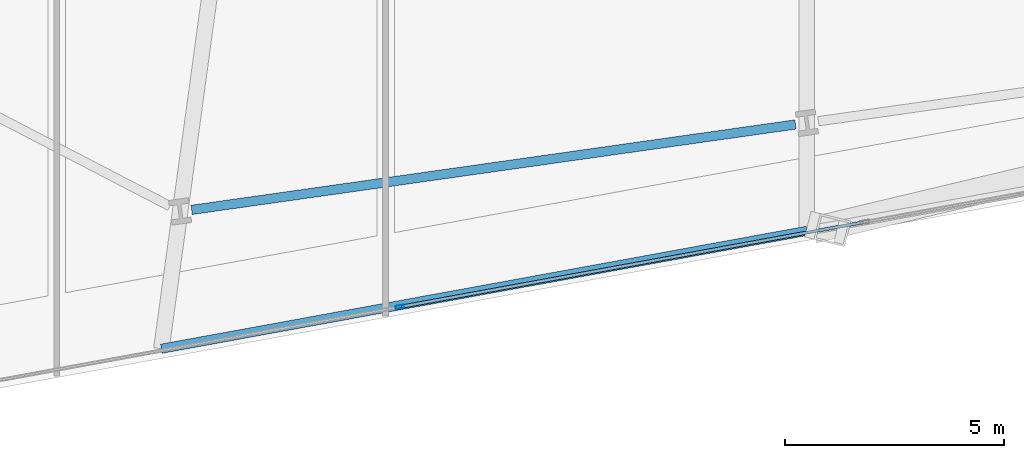
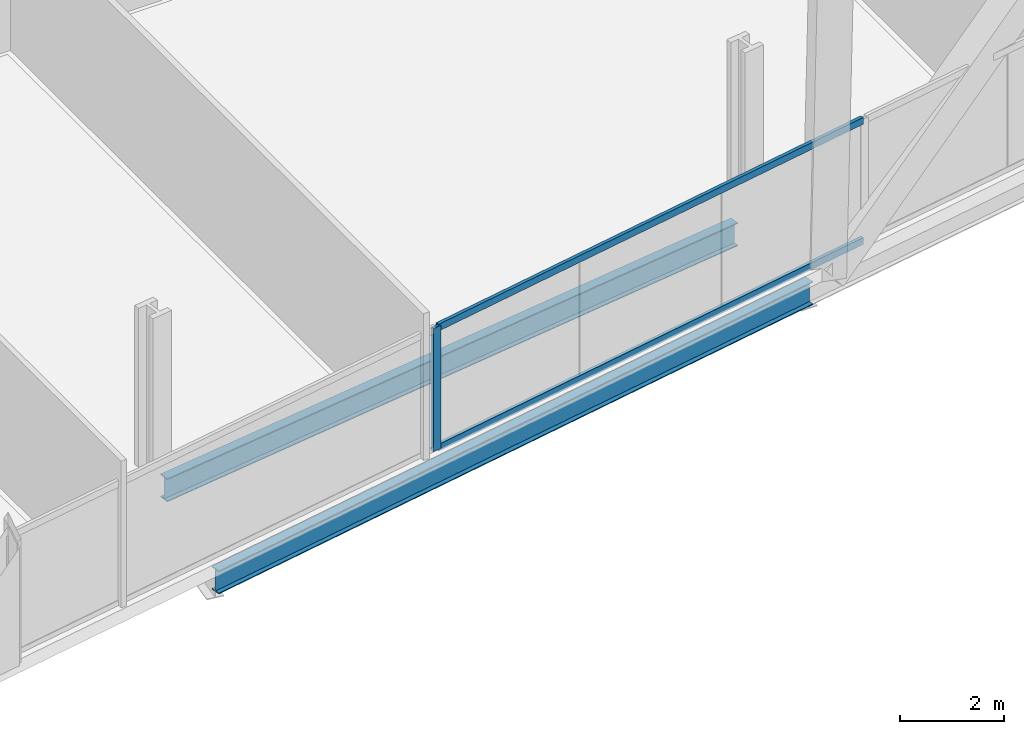
# One storey, part 5 of 34: 3 members, 2 beams, 1 element without a shape of its own.
"""IFC4 building model written with IfcOpenShell, lengths in metres."""

from ifc_helpers import new_model, si_unit, direction, frame, origin, origin_2d, place, context, subcontext, project, spatial, hollow_rectangle, i_section, extrude, material, material_profile, profile_set, type_object, element, aggregate, save


model = new_model("IFC4")

# Units and contexts
model_context = context("Model", 3, precision=1e-05, world=origin(), true_north=direction((0.0, 1.0)))
body_context = subcontext(model_context, "Body", "Model", "MODEL_VIEW")
ifc_project = project(units=[si_unit("LENGTHUNIT", "METRE"), si_unit("AREAUNIT", "SQUARE_METRE"), si_unit("VOLUMEUNIT", "CUBIC_METRE"), si_unit("PLANEANGLEUNIT", "RADIAN"), si_unit("MASSUNIT", "GRAM", prefix="KILO")], contexts=[model_context])

# Site, building, storey
site_placement = place(None, origin())
site = spatial("IfcSite", under=ifc_project, at=site_placement, CompositionType="ELEMENT")
building_placement = place(site_placement, origin())
building = spatial("IfcBuilding", under=site, at=building_placement, Name="Haldenkirk Collegiate Tower", CompositionType="ELEMENT")
storey_placement = place(building_placement, frame((0.0, 0.0, 62.699951171875)))
storey = spatial("IfcBuildingStorey", under=building, at=storey_placement, Name="L14", CompositionType="ELEMENT", Elevation=62.699951171875)

# Beams
ifc_material_1 = material(Name="Steel ASTM A992 Grade 50", Category="steel")
ifc_material_profile_1 = material_profile(ifc_material_1, i_section(OverallWidth=0.2119140625, OverallDepth=0.5439453125, WebThickness=0.01318359375, FlangeThickness=0.021240234375, at=origin_2d()), Name="W21X83")
ifc_profile_set_1 = profile_set([ifc_material_profile_1], Name="Steel ASTM A992 Grade 50")
beam_type = type_object("IfcBeamType", Name="BM-SPANDREL-W21X83", PredefinedType="SPANDREL", material=ifc_profile_set_1)
beam_1_placement = place(storey_placement, frame((25.076904296875, 2.0341796875, -0.58203125), z_axis=(0.990146197746, 0.14003752029, 0.0), x_axis=(-0.14003752029, 0.990146197746, 0.0)))
element("IfcBeam", 1, at=beam_1_placement, inside=storey, type_object=beam_type, Name="L14 perimeter spandrel beam 02", PredefinedType="SPANDREL", context=body_context, shape_type="SweptSolid", body=[
    extrude(i_section(OverallWidth=0.2119140625, OverallDepth=0.5439453125, WebThickness=0.01318359375, FlangeThickness=0.021240234375, at=origin_2d()), origin(), (0.0, 0.0, 1.0), 13.906982421875),
])
beam_2_placement = place(storey_placement, frame((24.3876953125, -1.1328125, -0.58203125), z_axis=(0.983726812896, 0.17967069207, 0.0), x_axis=(-0.17967069207, 0.983726812896, 0.0)))
element("IfcBeam", 2, at=beam_2_placement, inside=storey, type_object=beam_type, Name="L14 outer facade edge beam 1A", PredefinedType="SPANDREL", context=body_context, shape_type="SweptSolid", body=[
    extrude(i_section(OverallWidth=0.2119140625, OverallDepth=0.5439453125, WebThickness=0.01318359375, FlangeThickness=0.021240234375, at=origin_2d()), origin(), (0.0, 0.0, 1.0), 14.964599609375),
])

# Curtain wall, members
ifc_material_2 = material(Name="Anodised architectural bronze aluminium", Category="aluminium")
curtain_wall_type = type_object("IfcCurtainWallType", Name="CW-SYS2-CONCAVE", PredefinedType="USERDEFINED", material=ifc_material_2)
curtain_wall_placement = place(storey_placement, origin())
curtain_wall = element("IfcCurtainWall", 3, at=curtain_wall_placement, inside=storey, type_object=curtain_wall_type, Name="L14 South concave recessed bronze-anodised curtain wall", ObjectType="UNITISED CURTAIN WALL", PredefinedType="USERDEFINED")
ifc_material_profile_2 = material_profile(ifc_material_2, hollow_rectangle(XDim=0.074951171875, YDim=0.18994140625, WallThickness=0.0048828125, at=origin_2d()), Name="CW-MUL-02")
ifc_profile_set_2 = profile_set([ifc_material_profile_2], Name="Anodised architectural bronze aluminium")
member_type_1 = type_object("IfcMemberType", Name="CW-MUL-02", PredefinedType="MULLION", material=ifc_profile_set_2)
member_1_placement = place(storey_placement, frame((29.828125, -0.1796875, 0.0), z_axis=(0.0, 0.0, 1.0), x_axis=(0.179659417405, -0.983728872067, 0.0)))
member_1 = element("IfcMember", 4, at=member_1_placement, type_object=member_type_1, Name="CW-02 mullion 4", PredefinedType="MULLION", context=body_context, shape_type="SweptSolid", body=[
    extrude(hollow_rectangle(XDim=0.074951171875, YDim=0.18994140625, WallThickness=0.0048828125, at=origin_2d()), origin(), (0.0, 0.0, 1.0), 2.89111328125),
])
ifc_material_profile_3 = material_profile(ifc_material_2, hollow_rectangle(XDim=0.074951171875, YDim=0.159912109375, WallThickness=0.0048828125, at=origin_2d()), Name="CW-TRN-02")
ifc_profile_set_3 = profile_set([ifc_material_profile_3], Name="Anodised architectural bronze aluminium")
member_type_2 = type_object("IfcMemberType", Name="CW-TRN-02", PredefinedType="USERDEFINED", material=ifc_profile_set_3)
member_2_placement = place(storey_placement, frame((40.390869140625, 1.749267578125, 0.03759765625), z_axis=(-0.983728687531, -0.179660427834, 0.0), x_axis=(0.179660427834, -0.983728687531, 0.0)))
member_2 = element("IfcMember", 5, at=member_2_placement, type_object=member_type_2, Name="CW-02 transom 3.1", ObjectType="TRANSOM", PredefinedType="USERDEFINED", context=body_context, shape_type="SweptSolid", body=[
    extrude(hollow_rectangle(XDim=0.074951171875, YDim=0.159912109375, WallThickness=0.0048828125, at=origin_2d()), origin(), (0.0, 0.0, 1.0), 10.699951171875),
])
member_3_placement = place(storey_placement, frame((40.390869140625, 1.749267578125, 2.853515625), z_axis=(-0.983728687531, -0.179660427834, 0.0), x_axis=(0.179660427834, -0.983728687531, 0.0)))
member_3 = element("IfcMember", 6, at=member_3_placement, type_object=member_type_2, Name="CW-02 transom 3.2", ObjectType="TRANSOM", PredefinedType="USERDEFINED", context=body_context, shape_type="SweptSolid", body=[
    extrude(hollow_rectangle(XDim=0.074951171875, YDim=0.159912109375, WallThickness=0.0048828125, at=origin_2d()), origin(), (0.0, 0.0, 1.0), 10.699951171875),
])
aggregate(curtain_wall, [member_1, member_2, member_3])

save(model, "model.ifc")
